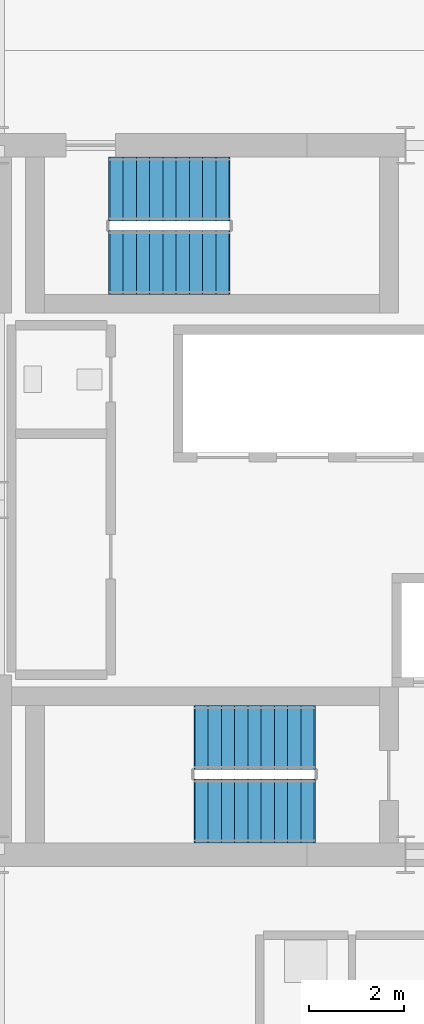
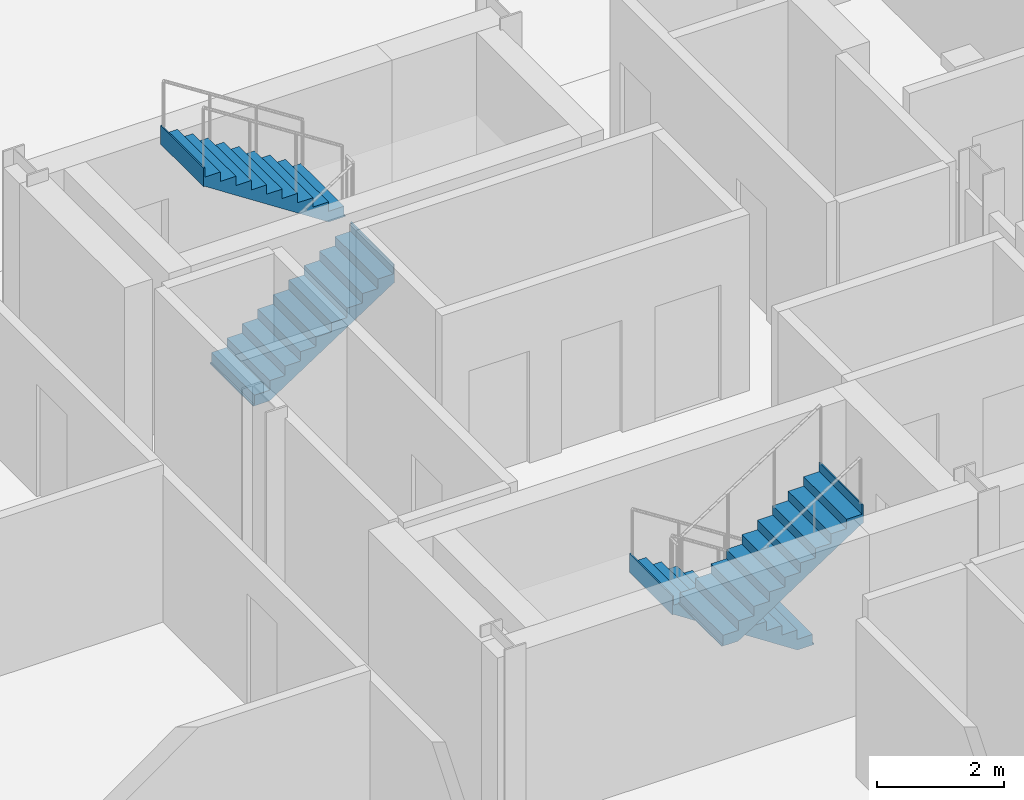
# One storey, part 18 of 21: 4 stair flights, 2 elements without a shape of their own.
"""IFC4 building model written with IfcOpenShell, lengths in metres."""

from ifc_helpers import new_model, si_unit, direction, frame, origin, place, context, subcontext, project, spatial, polyline, outline, extrude, material, type_object, element, aggregate, save


model = new_model("IFC4")

# Units and contexts
model_context = context("Model", 3, precision=1e-05, world=origin(), true_north=direction((0.0, 1.0)))
body_context = subcontext(model_context, "Body", "Model", "MODEL_VIEW")
ifc_project = project(units=[si_unit("LENGTHUNIT", "METRE"), si_unit("AREAUNIT", "SQUARE_METRE"), si_unit("VOLUMEUNIT", "CUBIC_METRE"), si_unit("PLANEANGLEUNIT", "RADIAN"), si_unit("MASSUNIT", "GRAM", prefix="KILO")], contexts=[model_context])

# Site, building, storey
site_placement = place(None, origin())
site = spatial("IfcSite", under=ifc_project, at=site_placement, CompositionType="ELEMENT")
building_placement = place(site_placement, origin())
building = spatial("IfcBuilding", under=site, at=building_placement, Name="Barlavira Tower and Art Museum", CompositionType="ELEMENT")
storey_placement = place(building_placement, frame((0.0, 0.0, 261.89990234375)))
storey = spatial("IfcBuildingStorey", under=building, at=storey_placement, Name="L68", CompositionType="ELEMENT", Elevation=261.89990234375)

# Stair, stair flights
ifc_material_1 = material(Name="Concrete C45", Category="concrete")
stair_type_1 = type_object("IfcStairType", Name="Tower North Dog-Leg Exit Stair Assembly Concrete C45", PredefinedType="TWO_QUARTER_TURN_STAIR", material=ifc_material_1)
stair_1_placement = place(storey_placement, origin())
stair_1 = element("IfcStair", 1, at=stair_1_placement, inside=storey, type_object=stair_type_1, Name="L68 Tower North Exit Stair ST-T2", PredefinedType="TWO_QUARTER_TURN_STAIR")
ifc_material_2 = material(Name="Precast concrete C45", Category="concrete")
stair_flight_type_1 = type_object("IfcStairFlightType", Name="Tower North Dog-Leg Exit Stair Precast Flight 1350 Concrete C45", PredefinedType="STRAIGHT", material=ifc_material_2)
stair_flight_1_placement = place(storey_placement, frame((-4.169921875, 5.02490234375, 0.0), z_axis=(0.0, 0.0, 1.0), x_axis=(1.0, 0.0, 0.0)))
stair_flight_1 = element("IfcStairFlight", 2, at=stair_flight_1_placement, type_object=stair_flight_type_1, Name="ST-T2 flight 1", NumberOfRisers=10, NumberOfTreads=9, PredefinedType="STRAIGHT", RiserHeight=0.18, TreadLength=0.28, context=body_context, shape_type="SweptSolid", body=[
    extrude(outline(polyline([(-0.02490234375, 0.0), (0.0, 0.0), (0.0, 0.179931640625), (0.280029296875, 0.179931640625), (0.280029296875, 0.360107421875), (0.56005859375, 0.360107421875), (0.56005859375, 0.5400390625), (0.840087890625, 0.5400390625), (0.840087890625, 0.719970703125), (1.1201171875, 0.719970703125), (1.1201171875, 0.89990234375), (1.39990234375, 0.89990234375), (1.39990234375, 1.080078125), (1.679931640625, 1.080078125), (1.679931640625, 1.260009765625), (1.9599609375, 1.260009765625), (1.9599609375, 1.43994140625), (2.239990234375, 1.43994140625), (2.239990234375, 1.6201171875), (2.52001953125, 1.6201171875), (2.52001953125, 1.800048828125), (2.544921875, 1.800048828125), (2.544921875, 1.44189453125), (2.52001953125, 1.44189453125), (0.277099609375, -0.02490234375), (-0.02490234375, -0.02490234375), (-0.02490234375, 0.0)])), frame((0.0, 0.675048828125, 0.0), z_axis=(0.0, -1.0, 0.0), x_axis=(1.0, 0.0, 0.0)), (0.0, 0.0, 1.0), 1.35009765625),
])
stair_flight_2_placement = place(storey_placement, frame((-1.64990234375, 6.574951171875, 1.800048828125), z_axis=(0.0, 0.0, 1.0), x_axis=(-1.0, 0.0, 0.0)))
stair_flight_2 = element("IfcStairFlight", 3, at=stair_flight_2_placement, type_object=stair_flight_type_1, Name="ST-T2 flight 2", NumberOfRisers=10, NumberOfTreads=9, PredefinedType="STRAIGHT", RiserHeight=0.18, TreadLength=0.28, context=body_context, shape_type="SweptSolid", body=[
    extrude(outline(polyline([(-0.02490234375, 0.0), (0.0, 0.0), (0.0, 0.179931640625), (0.280029296875, 0.179931640625), (0.280029296875, 0.360107421875), (0.56005859375, 0.360107421875), (0.56005859375, 0.5400390625), (0.840087890625, 0.5400390625), (0.840087890625, 0.719970703125), (1.1201171875, 0.719970703125), (1.1201171875, 0.89990234375), (1.39990234375, 0.89990234375), (1.39990234375, 1.080078125), (1.679931640625, 1.080078125), (1.679931640625, 1.260009765625), (1.9599609375, 1.260009765625), (1.9599609375, 1.43994140625), (2.239990234375, 1.43994140625), (2.239990234375, 1.6201171875), (2.52001953125, 1.6201171875), (2.52001953125, 1.800048828125), (2.544921875, 1.800048828125), (2.544921875, 1.44189453125), (2.52001953125, 1.44189453125), (0.277099609375, -0.02490234375), (-0.02490234375, -0.02490234375), (-0.02490234375, 0.0)])), frame((0.0, 0.675048828125, 0.0), z_axis=(0.0, -1.0, 0.0), x_axis=(1.0, 0.0, 0.0)), (0.0, 0.0, 1.0), 1.35009765625),
])
aggregate(stair_1, [stair_flight_1, stair_flight_2])

stair_type_2 = type_object("IfcStairType", Name="Tower South Dog-Leg Exit Stair Assembly Concrete C45", PredefinedType="TWO_QUARTER_TURN_STAIR", material=ifc_material_1)
stair_2_placement = place(storey_placement, origin())
stair_2 = element("IfcStair", 4, at=stair_2_placement, inside=storey, type_object=stair_type_2, Name="L68 Tower South Exit Stair ST-T1", PredefinedType="TWO_QUARTER_TURN_STAIR")
stair_flight_type_2 = type_object("IfcStairFlightType", Name="Tower South Dog-Leg Exit Stair Precast Flight 1350 Concrete C45", PredefinedType="STRAIGHT", material=ifc_material_2)
stair_flight_3_placement = place(storey_placement, frame((0.14990234375, -5.02490234375, 0.0), z_axis=(0.0, 0.0, 1.0), x_axis=(-1.0, 0.0, 0.0)))
stair_flight_3 = element("IfcStairFlight", 5, at=stair_flight_3_placement, type_object=stair_flight_type_2, Name="ST-T1 flight 1", NumberOfRisers=10, NumberOfTreads=9, PredefinedType="STRAIGHT", RiserHeight=0.18, TreadLength=0.28, context=body_context, shape_type="SweptSolid", body=[
    extrude(outline(polyline([(-0.02490234375, 0.0), (0.0, 0.0), (0.0, 0.179931640625), (0.280029296875, 0.179931640625), (0.280029296875, 0.360107421875), (0.56005859375, 0.360107421875), (0.56005859375, 0.5400390625), (0.840087890625, 0.5400390625), (0.840087890625, 0.719970703125), (1.1201171875, 0.719970703125), (1.1201171875, 0.89990234375), (1.39990234375, 0.89990234375), (1.39990234375, 1.080078125), (1.679931640625, 1.080078125), (1.679931640625, 1.260009765625), (1.9599609375, 1.260009765625), (1.9599609375, 1.43994140625), (2.239990234375, 1.43994140625), (2.239990234375, 1.6201171875), (2.52001953125, 1.6201171875), (2.52001953125, 1.800048828125), (2.544921875, 1.800048828125), (2.544921875, 1.44189453125), (2.52001953125, 1.44189453125), (0.277099609375, -0.02490234375), (-0.02490234375, -0.02490234375), (-0.02490234375, 0.0)])), frame((0.0, 0.675048828125, 0.0), z_axis=(0.0, -1.0, 0.0), x_axis=(1.0, 0.0, 0.0)), (0.0, 0.0, 1.0), 1.35009765625),
])
stair_flight_4_placement = place(storey_placement, frame((-2.3701171875, -6.574951171875, 1.800048828125), z_axis=(0.0, 0.0, 1.0), x_axis=(1.0, 0.0, 0.0)))
stair_flight_4 = element("IfcStairFlight", 6, at=stair_flight_4_placement, type_object=stair_flight_type_2, Name="ST-T1 flight 2", NumberOfRisers=10, NumberOfTreads=9, PredefinedType="STRAIGHT", RiserHeight=0.18, TreadLength=0.28, context=body_context, shape_type="SweptSolid", body=[
    extrude(outline(polyline([(-0.02490234375, 0.0), (0.0, 0.0), (0.0, 0.179931640625), (0.280029296875, 0.179931640625), (0.280029296875, 0.360107421875), (0.56005859375, 0.360107421875), (0.56005859375, 0.5400390625), (0.840087890625, 0.5400390625), (0.840087890625, 0.719970703125), (1.1201171875, 0.719970703125), (1.1201171875, 0.89990234375), (1.39990234375, 0.89990234375), (1.39990234375, 1.080078125), (1.679931640625, 1.080078125), (1.679931640625, 1.260009765625), (1.9599609375, 1.260009765625), (1.9599609375, 1.43994140625), (2.239990234375, 1.43994140625), (2.239990234375, 1.6201171875), (2.52001953125, 1.6201171875), (2.52001953125, 1.800048828125), (2.544921875, 1.800048828125), (2.544921875, 1.44189453125), (2.52001953125, 1.44189453125), (0.277099609375, -0.02490234375), (-0.02490234375, -0.02490234375), (-0.02490234375, 0.0)])), frame((0.0, 0.675048828125, 0.0), z_axis=(0.0, -1.0, 0.0), x_axis=(1.0, 0.0, 0.0)), (0.0, 0.0, 1.0), 1.35009765625),
])
aggregate(stair_2, [stair_flight_3, stair_flight_4])

save(model, "model.ifc")
